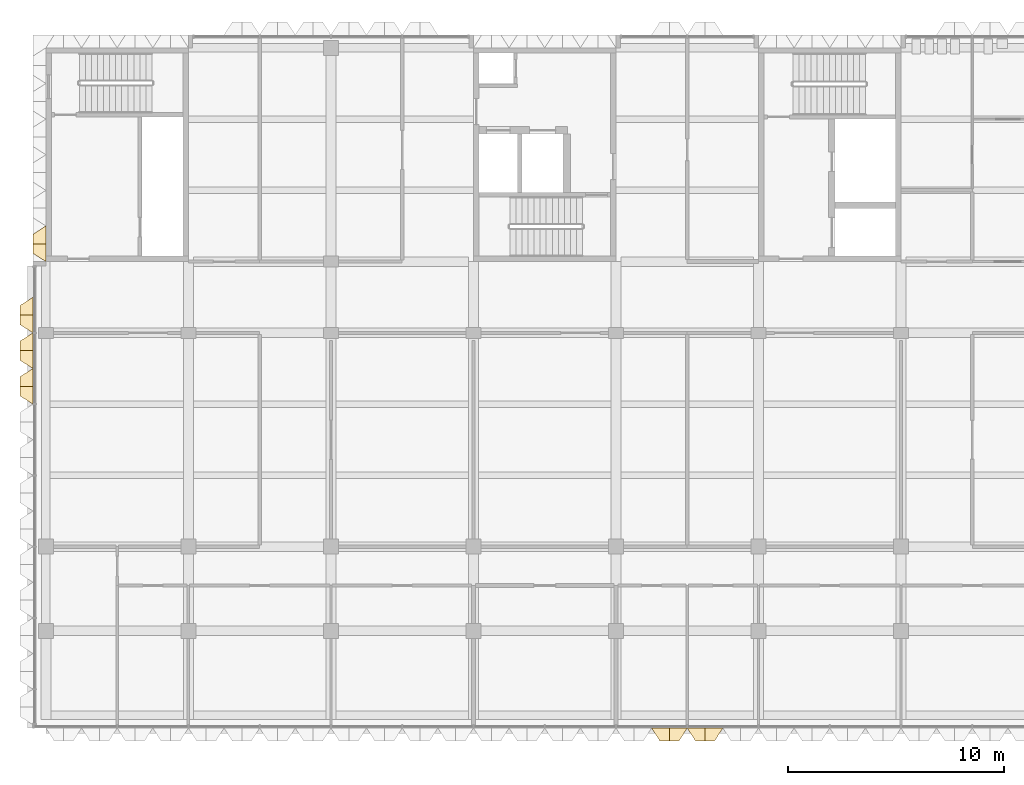
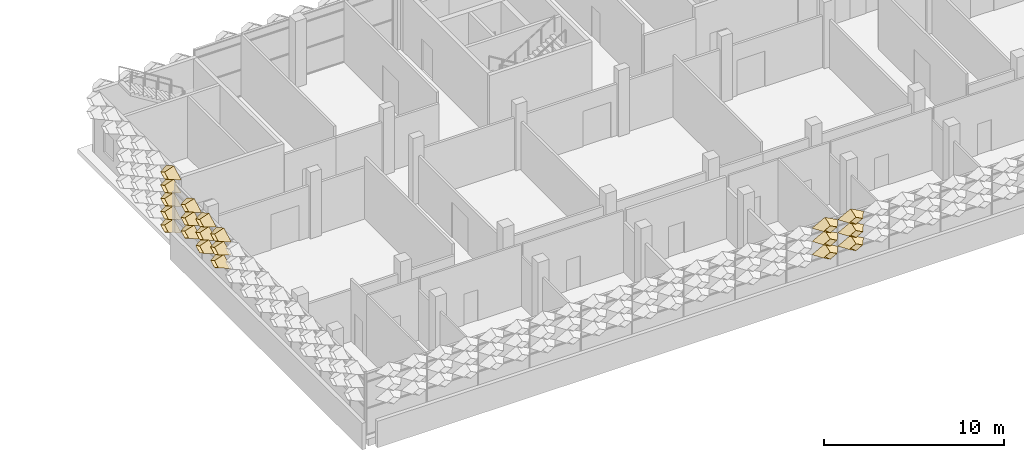
# One storey, part 41 of 85: 20 coverings.
"""IFC4 building model written with IfcOpenShell, lengths in metres."""

from ifc_helpers import new_model, entity, si_unit, direction, frame, origin, place, context, subcontext, project, spatial, material, layer, layer_set, type_object, element, save


model = new_model("IFC4")

# Units and contexts
model_context = context("Model", 3, precision=1e-05, world=origin(), true_north=direction((0.0, 1.0)))
body_context = subcontext(model_context, "Body", "Model", "MODEL_VIEW")
ifc_project = project(units=[si_unit("LENGTHUNIT", "METRE"), si_unit("AREAUNIT", "SQUARE_METRE"), si_unit("VOLUMEUNIT", "CUBIC_METRE"), si_unit("PLANEANGLEUNIT", "RADIAN"), si_unit("MASSUNIT", "GRAM", prefix="KILO")], contexts=[model_context])

# Site, building, storey
site_placement = place(None, origin())
site = spatial("IfcSite", under=ifc_project, at=site_placement, CompositionType="ELEMENT")
building_placement = place(site_placement, origin())
building = spatial("IfcBuilding", under=site, at=building_placement, Name="Lantern Court Research Institute", CompositionType="ELEMENT")
storey_placement = place(building_placement, frame((0.0, 0.0, 18.89990234375)))
storey = spatial("IfcBuildingStorey", under=building, at=storey_placement, Name="L04", CompositionType="ELEMENT", Elevation=18.89990234375)

# Coverings
ifc_material = material(Name="Anodised aluminium", Category="aluminium")
ifc_layer = layer(ifc_material, 0.01611328125)
ifc_layer_set = layer_set([ifc_layer], Name="Anodised aluminium")
covering_type = type_object("IfcCoveringType", Name="Fin cassette 1650 x 900 x 600 aluminium", PredefinedType="CLADDING", material=ifc_layer_set)
covering_1_placement = place(storey_placement, frame((28.875, -8.39990234375, 2.25), z_axis=(0.0, -1.0, 0.0), x_axis=(1.0, 0.0, 0.0)))
cartesian_point_1 = entity("IfcCartesianPoint", [0.824951171875, 0.0])
cartesian_point_2 = entity("IfcCartesianPoint", [0.79150390625, 0.0])
cartesian_point_3 = entity("IfcCartesianPoint", [0.44189453125, 0.0])
cartesian_point_4 = entity("IfcCartesianPoint", [0.43359375, 0.0])
element("IfcCovering", 1, at=covering_1_placement, inside=storey, type_object=covering_type, Name="Fin cassette V4S-L04 3.18", PredefinedType="CLADDING", context=body_context, shape_type="SweptSolid", body=[
    entity("IfcExtrudedAreaSolidTapered", entity("IfcArbitraryProfileDefWithVoids", "AREA", None, entity("IfcPolyline", [cartesian_point_1, entity("IfcCartesianPoint", [0.0, 0.449951171875]), entity("IfcCartesianPoint", [-0.824951171875, 0.0]), entity("IfcCartesianPoint", [0.0, -0.449951171875]), cartesian_point_1]), [entity("IfcPolyline", [cartesian_point_2, entity("IfcCartesianPoint", [0.0, 0.431884765625]), entity("IfcCartesianPoint", [-0.79150390625, 0.0]), entity("IfcCartesianPoint", [0.0, -0.431884765625]), cartesian_point_2])]), entity("IfcAxis2Placement3D", entity("IfcCartesianPoint", [0.0, 0.0, 0.0])), entity("IfcDirection", [0.0, 0.0, 1.0]), 0.60009765625, entity("IfcArbitraryProfileDefWithVoids", "AREA", None, entity("IfcPolyline", [cartesian_point_3, entity("IfcCartesianPoint", [0.0, 0.240966796875]), entity("IfcCartesianPoint", [-0.44189453125, 0.0]), entity("IfcCartesianPoint", [0.0, -0.240966796875]), cartesian_point_3]), [entity("IfcPolyline", [cartesian_point_4, entity("IfcCartesianPoint", [0.0, 0.236572265625]), entity("IfcCartesianPoint", [-0.43359375, 0.0]), entity("IfcCartesianPoint", [0.0, -0.236572265625]), cartesian_point_4])])),
])
covering_2_placement = place(storey_placement, frame((30.52490234375, -8.39990234375, 2.25), z_axis=(0.0, -1.0, 0.0), x_axis=(1.0, 0.0, 0.0)))
cartesian_point_5 = entity("IfcCartesianPoint", [0.824951171875, 0.0])
cartesian_point_6 = entity("IfcCartesianPoint", [0.79150390625, 0.0])
cartesian_point_7 = entity("IfcCartesianPoint", [0.44189453125, 0.0])
cartesian_point_8 = entity("IfcCartesianPoint", [0.43359375, 0.0])
element("IfcCovering", 2, at=covering_2_placement, inside=storey, type_object=covering_type, Name="Fin cassette V4S-L04 3.19", PredefinedType="CLADDING", context=body_context, shape_type="SweptSolid", body=[
    entity("IfcExtrudedAreaSolidTapered", entity("IfcArbitraryProfileDefWithVoids", "AREA", None, entity("IfcPolyline", [cartesian_point_5, entity("IfcCartesianPoint", [0.0, 0.449951171875]), entity("IfcCartesianPoint", [-0.824951171875, 0.0]), entity("IfcCartesianPoint", [0.0, -0.449951171875]), cartesian_point_5]), [entity("IfcPolyline", [cartesian_point_6, entity("IfcCartesianPoint", [0.0, 0.431884765625]), entity("IfcCartesianPoint", [-0.79150390625, 0.0]), entity("IfcCartesianPoint", [0.0, -0.431884765625]), cartesian_point_6])]), entity("IfcAxis2Placement3D", entity("IfcCartesianPoint", [0.0, 0.0, 0.0])), entity("IfcDirection", [0.0, 0.0, 1.0]), 0.60009765625, entity("IfcArbitraryProfileDefWithVoids", "AREA", None, entity("IfcPolyline", [cartesian_point_7, entity("IfcCartesianPoint", [0.0, 0.240966796875]), entity("IfcCartesianPoint", [-0.44189453125, 0.0]), entity("IfcCartesianPoint", [0.0, -0.240966796875]), cartesian_point_7]), [entity("IfcPolyline", [cartesian_point_8, entity("IfcCartesianPoint", [0.0, 0.236572265625]), entity("IfcCartesianPoint", [-0.43359375, 0.0]), entity("IfcCartesianPoint", [0.0, -0.236572265625]), cartesian_point_8])])),
])
covering_3_placement = place(storey_placement, frame((28.875, -8.39990234375, 3.150146484375), z_axis=(0.0, -1.0, 0.0), x_axis=(1.0, 0.0, 0.0)))
cartesian_point_9 = entity("IfcCartesianPoint", [0.824951171875, 0.0])
cartesian_point_10 = entity("IfcCartesianPoint", [0.79150390625, 0.0])
cartesian_point_11 = entity("IfcCartesianPoint", [0.44189453125, 0.0])
cartesian_point_12 = entity("IfcCartesianPoint", [0.43359375, 0.0])
element("IfcCovering", 3, at=covering_3_placement, inside=storey, type_object=covering_type, Name="Fin cassette V4S-L04 4.18", PredefinedType="CLADDING", context=body_context, shape_type="SweptSolid", body=[
    entity("IfcExtrudedAreaSolidTapered", entity("IfcArbitraryProfileDefWithVoids", "AREA", None, entity("IfcPolyline", [cartesian_point_9, entity("IfcCartesianPoint", [0.0, 0.449951171875]), entity("IfcCartesianPoint", [-0.824951171875, 0.0]), entity("IfcCartesianPoint", [0.0, -0.449951171875]), cartesian_point_9]), [entity("IfcPolyline", [cartesian_point_10, entity("IfcCartesianPoint", [0.0, 0.431884765625]), entity("IfcCartesianPoint", [-0.79150390625, 0.0]), entity("IfcCartesianPoint", [0.0, -0.431884765625]), cartesian_point_10])]), entity("IfcAxis2Placement3D", entity("IfcCartesianPoint", [0.0, 0.0, 0.0])), entity("IfcDirection", [0.0, 0.0, 1.0]), 0.60009765625, entity("IfcArbitraryProfileDefWithVoids", "AREA", None, entity("IfcPolyline", [cartesian_point_11, entity("IfcCartesianPoint", [0.0, 0.240966796875]), entity("IfcCartesianPoint", [-0.44189453125, 0.0]), entity("IfcCartesianPoint", [0.0, -0.240966796875]), cartesian_point_11]), [entity("IfcPolyline", [cartesian_point_12, entity("IfcCartesianPoint", [0.0, 0.236572265625]), entity("IfcCartesianPoint", [-0.43359375, 0.0]), entity("IfcCartesianPoint", [0.0, -0.236572265625]), cartesian_point_12])])),
])
covering_4_placement = place(storey_placement, frame((30.52490234375, -8.39990234375, 3.150146484375), z_axis=(0.0, -1.0, 0.0), x_axis=(1.0, 0.0, 0.0)))
cartesian_point_13 = entity("IfcCartesianPoint", [0.824951171875, 0.0])
cartesian_point_14 = entity("IfcCartesianPoint", [0.79150390625, 0.0])
cartesian_point_15 = entity("IfcCartesianPoint", [0.44189453125, 0.0])
cartesian_point_16 = entity("IfcCartesianPoint", [0.43359375, 0.0])
element("IfcCovering", 4, at=covering_4_placement, inside=storey, type_object=covering_type, Name="Fin cassette V4S-L04 4.19", PredefinedType="CLADDING", context=body_context, shape_type="SweptSolid", body=[
    entity("IfcExtrudedAreaSolidTapered", entity("IfcArbitraryProfileDefWithVoids", "AREA", None, entity("IfcPolyline", [cartesian_point_13, entity("IfcCartesianPoint", [0.0, 0.449951171875]), entity("IfcCartesianPoint", [-0.824951171875, 0.0]), entity("IfcCartesianPoint", [0.0, -0.449951171875]), cartesian_point_13]), [entity("IfcPolyline", [cartesian_point_14, entity("IfcCartesianPoint", [0.0, 0.431884765625]), entity("IfcCartesianPoint", [-0.79150390625, 0.0]), entity("IfcCartesianPoint", [0.0, -0.431884765625]), cartesian_point_14])]), entity("IfcAxis2Placement3D", entity("IfcCartesianPoint", [0.0, 0.0, 0.0])), entity("IfcDirection", [0.0, 0.0, 1.0]), 0.60009765625, entity("IfcArbitraryProfileDefWithVoids", "AREA", None, entity("IfcPolyline", [cartesian_point_15, entity("IfcCartesianPoint", [0.0, 0.240966796875]), entity("IfcCartesianPoint", [-0.44189453125, 0.0]), entity("IfcCartesianPoint", [0.0, -0.240966796875]), cartesian_point_15]), [entity("IfcPolyline", [cartesian_point_16, entity("IfcCartesianPoint", [0.0, 0.236572265625]), entity("IfcCartesianPoint", [-0.43359375, 0.0]), entity("IfcCartesianPoint", [0.0, -0.236572265625]), cartesian_point_16])])),
])
covering_5_placement = place(storey_placement, frame((28.875, -8.39990234375, 4.050048828125), z_axis=(0.0, -1.0, 0.0), x_axis=(1.0, 0.0, 0.0)))
cartesian_point_17 = entity("IfcCartesianPoint", [0.824951171875, 0.0])
cartesian_point_18 = entity("IfcCartesianPoint", [0.79150390625, 0.0])
cartesian_point_19 = entity("IfcCartesianPoint", [0.44189453125, 0.0])
cartesian_point_20 = entity("IfcCartesianPoint", [0.43359375, 0.0])
element("IfcCovering", 5, at=covering_5_placement, inside=storey, type_object=covering_type, Name="Fin cassette V4S-L04 5.18", PredefinedType="CLADDING", context=body_context, shape_type="SweptSolid", body=[
    entity("IfcExtrudedAreaSolidTapered", entity("IfcArbitraryProfileDefWithVoids", "AREA", None, entity("IfcPolyline", [cartesian_point_17, entity("IfcCartesianPoint", [0.0, 0.449951171875]), entity("IfcCartesianPoint", [-0.824951171875, 0.0]), entity("IfcCartesianPoint", [0.0, -0.449951171875]), cartesian_point_17]), [entity("IfcPolyline", [cartesian_point_18, entity("IfcCartesianPoint", [0.0, 0.431884765625]), entity("IfcCartesianPoint", [-0.79150390625, 0.0]), entity("IfcCartesianPoint", [0.0, -0.431884765625]), cartesian_point_18])]), entity("IfcAxis2Placement3D", entity("IfcCartesianPoint", [0.0, 0.0, 0.0])), entity("IfcDirection", [0.0, 0.0, 1.0]), 0.60009765625, entity("IfcArbitraryProfileDefWithVoids", "AREA", None, entity("IfcPolyline", [cartesian_point_19, entity("IfcCartesianPoint", [0.0, 0.240966796875]), entity("IfcCartesianPoint", [-0.44189453125, 0.0]), entity("IfcCartesianPoint", [0.0, -0.240966796875]), cartesian_point_19]), [entity("IfcPolyline", [cartesian_point_20, entity("IfcCartesianPoint", [0.0, 0.236572265625]), entity("IfcCartesianPoint", [-0.43359375, 0.0]), entity("IfcCartesianPoint", [0.0, -0.236572265625]), cartesian_point_20])])),
])
covering_6_placement = place(storey_placement, frame((30.52490234375, -8.39990234375, 4.050048828125), z_axis=(0.0, -1.0, 0.0), x_axis=(1.0, 0.0, 0.0)))
cartesian_point_21 = entity("IfcCartesianPoint", [0.824951171875, 0.0])
cartesian_point_22 = entity("IfcCartesianPoint", [0.79150390625, 0.0])
cartesian_point_23 = entity("IfcCartesianPoint", [0.44189453125, 0.0])
cartesian_point_24 = entity("IfcCartesianPoint", [0.43359375, 0.0])
element("IfcCovering", 6, at=covering_6_placement, inside=storey, type_object=covering_type, Name="Fin cassette V4S-L04 5.19", PredefinedType="CLADDING", context=body_context, shape_type="SweptSolid", body=[
    entity("IfcExtrudedAreaSolidTapered", entity("IfcArbitraryProfileDefWithVoids", "AREA", None, entity("IfcPolyline", [cartesian_point_21, entity("IfcCartesianPoint", [0.0, 0.449951171875]), entity("IfcCartesianPoint", [-0.824951171875, 0.0]), entity("IfcCartesianPoint", [0.0, -0.449951171875]), cartesian_point_21]), [entity("IfcPolyline", [cartesian_point_22, entity("IfcCartesianPoint", [0.0, 0.431884765625]), entity("IfcCartesianPoint", [-0.79150390625, 0.0]), entity("IfcCartesianPoint", [0.0, -0.431884765625]), cartesian_point_22])]), entity("IfcAxis2Placement3D", entity("IfcCartesianPoint", [0.0, 0.0, 0.0])), entity("IfcDirection", [0.0, 0.0, 1.0]), 0.60009765625, entity("IfcArbitraryProfileDefWithVoids", "AREA", None, entity("IfcPolyline", [cartesian_point_23, entity("IfcCartesianPoint", [0.0, 0.240966796875]), entity("IfcCartesianPoint", [-0.44189453125, 0.0]), entity("IfcCartesianPoint", [0.0, -0.240966796875]), cartesian_point_23]), [entity("IfcPolyline", [cartesian_point_24, entity("IfcCartesianPoint", [0.0, 0.236572265625]), entity("IfcCartesianPoint", [-0.43359375, 0.0]), entity("IfcCartesianPoint", [0.0, -0.236572265625]), cartesian_point_24])])),
])
covering_7_placement = place(storey_placement, frame((0.0, 14.02490234375, 0.4501953125), z_axis=(-1.0, 0.0, 0.0), x_axis=(0.0, -1.0, 0.0)))
cartesian_point_25 = entity("IfcCartesianPoint", [0.824951171875, 0.0])
cartesian_point_26 = entity("IfcCartesianPoint", [0.79150390625, 0.0])
cartesian_point_27 = entity("IfcCartesianPoint", [0.44189453125, 0.0])
cartesian_point_28 = entity("IfcCartesianPoint", [0.43359375, 0.0])
element("IfcCovering", 7, at=covering_7_placement, inside=storey, type_object=covering_type, Name="Fin cassette V4W-L04 1.9", PredefinedType="CLADDING", context=body_context, shape_type="SweptSolid", body=[
    entity("IfcExtrudedAreaSolidTapered", entity("IfcArbitraryProfileDefWithVoids", "AREA", None, entity("IfcPolyline", [cartesian_point_25, entity("IfcCartesianPoint", [0.0, 0.449951171875]), entity("IfcCartesianPoint", [-0.824951171875, 0.0]), entity("IfcCartesianPoint", [0.0, -0.449951171875]), cartesian_point_25]), [entity("IfcPolyline", [cartesian_point_26, entity("IfcCartesianPoint", [0.0, 0.431884765625]), entity("IfcCartesianPoint", [-0.79150390625, 0.0]), entity("IfcCartesianPoint", [0.0, -0.431884765625]), cartesian_point_26])]), entity("IfcAxis2Placement3D", entity("IfcCartesianPoint", [0.0, 0.0, 0.0])), entity("IfcDirection", [0.0, 0.0, 1.0]), 0.60009765625, entity("IfcArbitraryProfileDefWithVoids", "AREA", None, entity("IfcPolyline", [cartesian_point_27, entity("IfcCartesianPoint", [0.0, 0.240966796875]), entity("IfcCartesianPoint", [-0.44189453125, 0.0]), entity("IfcCartesianPoint", [0.0, -0.240966796875]), cartesian_point_27]), [entity("IfcPolyline", [cartesian_point_28, entity("IfcCartesianPoint", [0.0, 0.236572265625]), entity("IfcCartesianPoint", [-0.43359375, 0.0]), entity("IfcCartesianPoint", [0.0, -0.236572265625]), cartesian_point_28])])),
])
covering_8_placement = place(storey_placement, frame((0.0, 14.02490234375, 1.35009765625), z_axis=(-1.0, 0.0, 0.0), x_axis=(0.0, -1.0, 0.0)))
cartesian_point_29 = entity("IfcCartesianPoint", [0.824951171875, 0.0])
cartesian_point_30 = entity("IfcCartesianPoint", [0.79150390625, 0.0])
cartesian_point_31 = entity("IfcCartesianPoint", [0.44189453125, 0.0])
cartesian_point_32 = entity("IfcCartesianPoint", [0.43359375, 0.0])
element("IfcCovering", 8, at=covering_8_placement, inside=storey, type_object=covering_type, Name="Fin cassette V4W-L04 2.9", PredefinedType="CLADDING", context=body_context, shape_type="SweptSolid", body=[
    entity("IfcExtrudedAreaSolidTapered", entity("IfcArbitraryProfileDefWithVoids", "AREA", None, entity("IfcPolyline", [cartesian_point_29, entity("IfcCartesianPoint", [0.0, 0.449951171875]), entity("IfcCartesianPoint", [-0.824951171875, 0.0]), entity("IfcCartesianPoint", [0.0, -0.449951171875]), cartesian_point_29]), [entity("IfcPolyline", [cartesian_point_30, entity("IfcCartesianPoint", [0.0, 0.431884765625]), entity("IfcCartesianPoint", [-0.79150390625, 0.0]), entity("IfcCartesianPoint", [0.0, -0.431884765625]), cartesian_point_30])]), entity("IfcAxis2Placement3D", entity("IfcCartesianPoint", [0.0, 0.0, 0.0])), entity("IfcDirection", [0.0, 0.0, 1.0]), 0.60009765625, entity("IfcArbitraryProfileDefWithVoids", "AREA", None, entity("IfcPolyline", [cartesian_point_31, entity("IfcCartesianPoint", [0.0, 0.240966796875]), entity("IfcCartesianPoint", [-0.44189453125, 0.0]), entity("IfcCartesianPoint", [0.0, -0.240966796875]), cartesian_point_31]), [entity("IfcPolyline", [cartesian_point_32, entity("IfcCartesianPoint", [0.0, 0.236572265625]), entity("IfcCartesianPoint", [-0.43359375, 0.0]), entity("IfcCartesianPoint", [0.0, -0.236572265625]), cartesian_point_32])])),
])
covering_9_placement = place(storey_placement, frame((0.0, 14.02490234375, 2.25), z_axis=(-1.0, 0.0, 0.0), x_axis=(0.0, -1.0, 0.0)))
cartesian_point_33 = entity("IfcCartesianPoint", [0.824951171875, 0.0])
cartesian_point_34 = entity("IfcCartesianPoint", [0.79150390625, 0.0])
cartesian_point_35 = entity("IfcCartesianPoint", [0.44189453125, 0.0])
cartesian_point_36 = entity("IfcCartesianPoint", [0.43359375, 0.0])
element("IfcCovering", 9, at=covering_9_placement, inside=storey, type_object=covering_type, Name="Fin cassette V4W-L04 3.9", PredefinedType="CLADDING", context=body_context, shape_type="SweptSolid", body=[
    entity("IfcExtrudedAreaSolidTapered", entity("IfcArbitraryProfileDefWithVoids", "AREA", None, entity("IfcPolyline", [cartesian_point_33, entity("IfcCartesianPoint", [0.0, 0.449951171875]), entity("IfcCartesianPoint", [-0.824951171875, 0.0]), entity("IfcCartesianPoint", [0.0, -0.449951171875]), cartesian_point_33]), [entity("IfcPolyline", [cartesian_point_34, entity("IfcCartesianPoint", [0.0, 0.431884765625]), entity("IfcCartesianPoint", [-0.79150390625, 0.0]), entity("IfcCartesianPoint", [0.0, -0.431884765625]), cartesian_point_34])]), entity("IfcAxis2Placement3D", entity("IfcCartesianPoint", [0.0, 0.0, 0.0])), entity("IfcDirection", [0.0, 0.0, 1.0]), 0.60009765625, entity("IfcArbitraryProfileDefWithVoids", "AREA", None, entity("IfcPolyline", [cartesian_point_35, entity("IfcCartesianPoint", [0.0, 0.240966796875]), entity("IfcCartesianPoint", [-0.44189453125, 0.0]), entity("IfcCartesianPoint", [0.0, -0.240966796875]), cartesian_point_35]), [entity("IfcPolyline", [cartesian_point_36, entity("IfcCartesianPoint", [0.0, 0.236572265625]), entity("IfcCartesianPoint", [-0.43359375, 0.0]), entity("IfcCartesianPoint", [0.0, -0.236572265625]), cartesian_point_36])])),
])
covering_10_placement = place(storey_placement, frame((0.0, 14.02490234375, 3.150146484375), z_axis=(-1.0, 0.0, 0.0), x_axis=(0.0, -1.0, 0.0)))
cartesian_point_37 = entity("IfcCartesianPoint", [0.824951171875, 0.0])
cartesian_point_38 = entity("IfcCartesianPoint", [0.79150390625, 0.0])
cartesian_point_39 = entity("IfcCartesianPoint", [0.44189453125, 0.0])
cartesian_point_40 = entity("IfcCartesianPoint", [0.43359375, 0.0])
element("IfcCovering", 10, at=covering_10_placement, inside=storey, type_object=covering_type, Name="Fin cassette V4W-L04 4.9", PredefinedType="CLADDING", context=body_context, shape_type="SweptSolid", body=[
    entity("IfcExtrudedAreaSolidTapered", entity("IfcArbitraryProfileDefWithVoids", "AREA", None, entity("IfcPolyline", [cartesian_point_37, entity("IfcCartesianPoint", [0.0, 0.449951171875]), entity("IfcCartesianPoint", [-0.824951171875, 0.0]), entity("IfcCartesianPoint", [0.0, -0.449951171875]), cartesian_point_37]), [entity("IfcPolyline", [cartesian_point_38, entity("IfcCartesianPoint", [0.0, 0.431884765625]), entity("IfcCartesianPoint", [-0.79150390625, 0.0]), entity("IfcCartesianPoint", [0.0, -0.431884765625]), cartesian_point_38])]), entity("IfcAxis2Placement3D", entity("IfcCartesianPoint", [0.0, 0.0, 0.0])), entity("IfcDirection", [0.0, 0.0, 1.0]), 0.60009765625, entity("IfcArbitraryProfileDefWithVoids", "AREA", None, entity("IfcPolyline", [cartesian_point_39, entity("IfcCartesianPoint", [0.0, 0.240966796875]), entity("IfcCartesianPoint", [-0.44189453125, 0.0]), entity("IfcCartesianPoint", [0.0, -0.240966796875]), cartesian_point_39]), [entity("IfcPolyline", [cartesian_point_40, entity("IfcCartesianPoint", [0.0, 0.236572265625]), entity("IfcCartesianPoint", [-0.43359375, 0.0]), entity("IfcCartesianPoint", [0.0, -0.236572265625]), cartesian_point_40])])),
])
covering_11_placement = place(storey_placement, frame((0.0, 14.02490234375, 4.050048828125), z_axis=(-1.0, 0.0, 0.0), x_axis=(0.0, -1.0, 0.0)))
cartesian_point_41 = entity("IfcCartesianPoint", [0.824951171875, 0.0])
cartesian_point_42 = entity("IfcCartesianPoint", [0.79150390625, 0.0])
cartesian_point_43 = entity("IfcCartesianPoint", [0.44189453125, 0.0])
cartesian_point_44 = entity("IfcCartesianPoint", [0.43359375, 0.0])
element("IfcCovering", 11, at=covering_11_placement, inside=storey, type_object=covering_type, Name="Fin cassette V4W-L04 5.9", PredefinedType="CLADDING", context=body_context, shape_type="SweptSolid", body=[
    entity("IfcExtrudedAreaSolidTapered", entity("IfcArbitraryProfileDefWithVoids", "AREA", None, entity("IfcPolyline", [cartesian_point_41, entity("IfcCartesianPoint", [0.0, 0.449951171875]), entity("IfcCartesianPoint", [-0.824951171875, 0.0]), entity("IfcCartesianPoint", [0.0, -0.449951171875]), cartesian_point_41]), [entity("IfcPolyline", [cartesian_point_42, entity("IfcCartesianPoint", [0.0, 0.431884765625]), entity("IfcCartesianPoint", [-0.79150390625, 0.0]), entity("IfcCartesianPoint", [0.0, -0.431884765625]), cartesian_point_42])]), entity("IfcAxis2Placement3D", entity("IfcCartesianPoint", [0.0, 0.0, 0.0])), entity("IfcDirection", [0.0, 0.0, 1.0]), 0.60009765625, entity("IfcArbitraryProfileDefWithVoids", "AREA", None, entity("IfcPolyline", [cartesian_point_43, entity("IfcCartesianPoint", [0.0, 0.240966796875]), entity("IfcCartesianPoint", [-0.44189453125, 0.0]), entity("IfcCartesianPoint", [0.0, -0.240966796875]), cartesian_point_43]), [entity("IfcPolyline", [cartesian_point_44, entity("IfcCartesianPoint", [0.0, 0.236572265625]), entity("IfcCartesianPoint", [-0.43359375, 0.0]), entity("IfcCartesianPoint", [0.0, -0.236572265625]), cartesian_point_44])])),
])
covering_12_placement = place(storey_placement, frame((-0.60009765625, 7.425048828125, 2.25), z_axis=(-1.0, 0.0, 0.0), x_axis=(0.0, -1.0, 0.0)))
cartesian_point_45 = entity("IfcCartesianPoint", [0.824951171875, 0.0])
cartesian_point_46 = entity("IfcCartesianPoint", [0.79150390625, 0.0])
cartesian_point_47 = entity("IfcCartesianPoint", [0.44189453125, 0.0])
cartesian_point_48 = entity("IfcCartesianPoint", [0.43359375, 0.0])
element("IfcCovering", 12, at=covering_12_placement, inside=storey, type_object=covering_type, Name="Fin cassette V4W-L04 3.5", PredefinedType="CLADDING", context=body_context, shape_type="SweptSolid", body=[
    entity("IfcExtrudedAreaSolidTapered", entity("IfcArbitraryProfileDefWithVoids", "AREA", None, entity("IfcPolyline", [cartesian_point_45, entity("IfcCartesianPoint", [0.0, 0.449951171875]), entity("IfcCartesianPoint", [-0.824951171875, 0.0]), entity("IfcCartesianPoint", [0.0, -0.449951171875]), cartesian_point_45]), [entity("IfcPolyline", [cartesian_point_46, entity("IfcCartesianPoint", [0.0, 0.431884765625]), entity("IfcCartesianPoint", [-0.79150390625, 0.0]), entity("IfcCartesianPoint", [0.0, -0.431884765625]), cartesian_point_46])]), entity("IfcAxis2Placement3D", entity("IfcCartesianPoint", [0.0, 0.0, 0.0])), entity("IfcDirection", [0.0, 0.0, 1.0]), 0.60009765625, entity("IfcArbitraryProfileDefWithVoids", "AREA", None, entity("IfcPolyline", [cartesian_point_47, entity("IfcCartesianPoint", [0.0, 0.240966796875]), entity("IfcCartesianPoint", [-0.44189453125, 0.0]), entity("IfcCartesianPoint", [0.0, -0.240966796875]), cartesian_point_47]), [entity("IfcPolyline", [cartesian_point_48, entity("IfcCartesianPoint", [0.0, 0.236572265625]), entity("IfcCartesianPoint", [-0.43359375, 0.0]), entity("IfcCartesianPoint", [0.0, -0.236572265625]), cartesian_point_48])])),
])
covering_13_placement = place(storey_placement, frame((-0.60009765625, 9.074951171875, 2.25), z_axis=(-1.0, 0.0, 0.0), x_axis=(0.0, -1.0, 0.0)))
cartesian_point_49 = entity("IfcCartesianPoint", [0.824951171875, 0.0])
cartesian_point_50 = entity("IfcCartesianPoint", [0.79150390625, 0.0])
cartesian_point_51 = entity("IfcCartesianPoint", [0.44189453125, 0.0])
cartesian_point_52 = entity("IfcCartesianPoint", [0.43359375, 0.0])
element("IfcCovering", 13, at=covering_13_placement, inside=storey, type_object=covering_type, Name="Fin cassette V4W-L04 3.6", PredefinedType="CLADDING", context=body_context, shape_type="SweptSolid", body=[
    entity("IfcExtrudedAreaSolidTapered", entity("IfcArbitraryProfileDefWithVoids", "AREA", None, entity("IfcPolyline", [cartesian_point_49, entity("IfcCartesianPoint", [0.0, 0.449951171875]), entity("IfcCartesianPoint", [-0.824951171875, 0.0]), entity("IfcCartesianPoint", [0.0, -0.449951171875]), cartesian_point_49]), [entity("IfcPolyline", [cartesian_point_50, entity("IfcCartesianPoint", [0.0, 0.431884765625]), entity("IfcCartesianPoint", [-0.79150390625, 0.0]), entity("IfcCartesianPoint", [0.0, -0.431884765625]), cartesian_point_50])]), entity("IfcAxis2Placement3D", entity("IfcCartesianPoint", [0.0, 0.0, 0.0])), entity("IfcDirection", [0.0, 0.0, 1.0]), 0.60009765625, entity("IfcArbitraryProfileDefWithVoids", "AREA", None, entity("IfcPolyline", [cartesian_point_51, entity("IfcCartesianPoint", [0.0, 0.240966796875]), entity("IfcCartesianPoint", [-0.44189453125, 0.0]), entity("IfcCartesianPoint", [0.0, -0.240966796875]), cartesian_point_51]), [entity("IfcPolyline", [cartesian_point_52, entity("IfcCartesianPoint", [0.0, 0.236572265625]), entity("IfcCartesianPoint", [-0.43359375, 0.0]), entity("IfcCartesianPoint", [0.0, -0.236572265625]), cartesian_point_52])])),
])
covering_14_placement = place(storey_placement, frame((-0.60009765625, 10.72509765625, 2.25), z_axis=(-1.0, 0.0, 0.0), x_axis=(0.0, -1.0, 0.0)))
cartesian_point_53 = entity("IfcCartesianPoint", [0.824951171875, 0.0])
cartesian_point_54 = entity("IfcCartesianPoint", [0.79150390625, 0.0])
cartesian_point_55 = entity("IfcCartesianPoint", [0.44189453125, 0.0])
cartesian_point_56 = entity("IfcCartesianPoint", [0.43359375, 0.0])
element("IfcCovering", 14, at=covering_14_placement, inside=storey, type_object=covering_type, Name="Fin cassette V4W-L04 3.7", PredefinedType="CLADDING", context=body_context, shape_type="SweptSolid", body=[
    entity("IfcExtrudedAreaSolidTapered", entity("IfcArbitraryProfileDefWithVoids", "AREA", None, entity("IfcPolyline", [cartesian_point_53, entity("IfcCartesianPoint", [0.0, 0.449951171875]), entity("IfcCartesianPoint", [-0.824951171875, 0.0]), entity("IfcCartesianPoint", [0.0, -0.449951171875]), cartesian_point_53]), [entity("IfcPolyline", [cartesian_point_54, entity("IfcCartesianPoint", [0.0, 0.431884765625]), entity("IfcCartesianPoint", [-0.79150390625, 0.0]), entity("IfcCartesianPoint", [0.0, -0.431884765625]), cartesian_point_54])]), entity("IfcAxis2Placement3D", entity("IfcCartesianPoint", [0.0, 0.0, 0.0])), entity("IfcDirection", [0.0, 0.0, 1.0]), 0.60009765625, entity("IfcArbitraryProfileDefWithVoids", "AREA", None, entity("IfcPolyline", [cartesian_point_55, entity("IfcCartesianPoint", [0.0, 0.240966796875]), entity("IfcCartesianPoint", [-0.44189453125, 0.0]), entity("IfcCartesianPoint", [0.0, -0.240966796875]), cartesian_point_55]), [entity("IfcPolyline", [cartesian_point_56, entity("IfcCartesianPoint", [0.0, 0.236572265625]), entity("IfcCartesianPoint", [-0.43359375, 0.0]), entity("IfcCartesianPoint", [0.0, -0.236572265625]), cartesian_point_56])])),
])
covering_15_placement = place(storey_placement, frame((-0.60009765625, 7.425048828125, 3.150146484375), z_axis=(-1.0, 0.0, 0.0), x_axis=(0.0, -1.0, 0.0)))
cartesian_point_57 = entity("IfcCartesianPoint", [0.824951171875, 0.0])
cartesian_point_58 = entity("IfcCartesianPoint", [0.79150390625, 0.0])
cartesian_point_59 = entity("IfcCartesianPoint", [0.44189453125, 0.0])
cartesian_point_60 = entity("IfcCartesianPoint", [0.43359375, 0.0])
element("IfcCovering", 15, at=covering_15_placement, inside=storey, type_object=covering_type, Name="Fin cassette V4W-L04 4.5", PredefinedType="CLADDING", context=body_context, shape_type="SweptSolid", body=[
    entity("IfcExtrudedAreaSolidTapered", entity("IfcArbitraryProfileDefWithVoids", "AREA", None, entity("IfcPolyline", [cartesian_point_57, entity("IfcCartesianPoint", [0.0, 0.449951171875]), entity("IfcCartesianPoint", [-0.824951171875, 0.0]), entity("IfcCartesianPoint", [0.0, -0.449951171875]), cartesian_point_57]), [entity("IfcPolyline", [cartesian_point_58, entity("IfcCartesianPoint", [0.0, 0.431884765625]), entity("IfcCartesianPoint", [-0.79150390625, 0.0]), entity("IfcCartesianPoint", [0.0, -0.431884765625]), cartesian_point_58])]), entity("IfcAxis2Placement3D", entity("IfcCartesianPoint", [0.0, 0.0, 0.0])), entity("IfcDirection", [0.0, 0.0, 1.0]), 0.60009765625, entity("IfcArbitraryProfileDefWithVoids", "AREA", None, entity("IfcPolyline", [cartesian_point_59, entity("IfcCartesianPoint", [0.0, 0.240966796875]), entity("IfcCartesianPoint", [-0.44189453125, 0.0]), entity("IfcCartesianPoint", [0.0, -0.240966796875]), cartesian_point_59]), [entity("IfcPolyline", [cartesian_point_60, entity("IfcCartesianPoint", [0.0, 0.236572265625]), entity("IfcCartesianPoint", [-0.43359375, 0.0]), entity("IfcCartesianPoint", [0.0, -0.236572265625]), cartesian_point_60])])),
])
covering_16_placement = place(storey_placement, frame((-0.60009765625, 9.074951171875, 3.150146484375), z_axis=(-1.0, 0.0, 0.0), x_axis=(0.0, -1.0, 0.0)))
cartesian_point_61 = entity("IfcCartesianPoint", [0.824951171875, 0.0])
cartesian_point_62 = entity("IfcCartesianPoint", [0.79150390625, 0.0])
cartesian_point_63 = entity("IfcCartesianPoint", [0.44189453125, 0.0])
cartesian_point_64 = entity("IfcCartesianPoint", [0.43359375, 0.0])
element("IfcCovering", 16, at=covering_16_placement, inside=storey, type_object=covering_type, Name="Fin cassette V4W-L04 4.6", PredefinedType="CLADDING", context=body_context, shape_type="SweptSolid", body=[
    entity("IfcExtrudedAreaSolidTapered", entity("IfcArbitraryProfileDefWithVoids", "AREA", None, entity("IfcPolyline", [cartesian_point_61, entity("IfcCartesianPoint", [0.0, 0.449951171875]), entity("IfcCartesianPoint", [-0.824951171875, 0.0]), entity("IfcCartesianPoint", [0.0, -0.449951171875]), cartesian_point_61]), [entity("IfcPolyline", [cartesian_point_62, entity("IfcCartesianPoint", [0.0, 0.431884765625]), entity("IfcCartesianPoint", [-0.79150390625, 0.0]), entity("IfcCartesianPoint", [0.0, -0.431884765625]), cartesian_point_62])]), entity("IfcAxis2Placement3D", entity("IfcCartesianPoint", [0.0, 0.0, 0.0])), entity("IfcDirection", [0.0, 0.0, 1.0]), 0.60009765625, entity("IfcArbitraryProfileDefWithVoids", "AREA", None, entity("IfcPolyline", [cartesian_point_63, entity("IfcCartesianPoint", [0.0, 0.240966796875]), entity("IfcCartesianPoint", [-0.44189453125, 0.0]), entity("IfcCartesianPoint", [0.0, -0.240966796875]), cartesian_point_63]), [entity("IfcPolyline", [cartesian_point_64, entity("IfcCartesianPoint", [0.0, 0.236572265625]), entity("IfcCartesianPoint", [-0.43359375, 0.0]), entity("IfcCartesianPoint", [0.0, -0.236572265625]), cartesian_point_64])])),
])
covering_17_placement = place(storey_placement, frame((-0.60009765625, 10.72509765625, 3.150146484375), z_axis=(-1.0, 0.0, 0.0), x_axis=(0.0, -1.0, 0.0)))
cartesian_point_65 = entity("IfcCartesianPoint", [0.824951171875, 0.0])
cartesian_point_66 = entity("IfcCartesianPoint", [0.79150390625, 0.0])
cartesian_point_67 = entity("IfcCartesianPoint", [0.44189453125, 0.0])
cartesian_point_68 = entity("IfcCartesianPoint", [0.43359375, 0.0])
element("IfcCovering", 17, at=covering_17_placement, inside=storey, type_object=covering_type, Name="Fin cassette V4W-L04 4.7", PredefinedType="CLADDING", context=body_context, shape_type="SweptSolid", body=[
    entity("IfcExtrudedAreaSolidTapered", entity("IfcArbitraryProfileDefWithVoids", "AREA", None, entity("IfcPolyline", [cartesian_point_65, entity("IfcCartesianPoint", [0.0, 0.449951171875]), entity("IfcCartesianPoint", [-0.824951171875, 0.0]), entity("IfcCartesianPoint", [0.0, -0.449951171875]), cartesian_point_65]), [entity("IfcPolyline", [cartesian_point_66, entity("IfcCartesianPoint", [0.0, 0.431884765625]), entity("IfcCartesianPoint", [-0.79150390625, 0.0]), entity("IfcCartesianPoint", [0.0, -0.431884765625]), cartesian_point_66])]), entity("IfcAxis2Placement3D", entity("IfcCartesianPoint", [0.0, 0.0, 0.0])), entity("IfcDirection", [0.0, 0.0, 1.0]), 0.60009765625, entity("IfcArbitraryProfileDefWithVoids", "AREA", None, entity("IfcPolyline", [cartesian_point_67, entity("IfcCartesianPoint", [0.0, 0.240966796875]), entity("IfcCartesianPoint", [-0.44189453125, 0.0]), entity("IfcCartesianPoint", [0.0, -0.240966796875]), cartesian_point_67]), [entity("IfcPolyline", [cartesian_point_68, entity("IfcCartesianPoint", [0.0, 0.236572265625]), entity("IfcCartesianPoint", [-0.43359375, 0.0]), entity("IfcCartesianPoint", [0.0, -0.236572265625]), cartesian_point_68])])),
])
covering_18_placement = place(storey_placement, frame((-0.60009765625, 7.425048828125, 4.050048828125), z_axis=(-1.0, 0.0, 0.0), x_axis=(0.0, -1.0, 0.0)))
cartesian_point_69 = entity("IfcCartesianPoint", [0.824951171875, 0.0])
cartesian_point_70 = entity("IfcCartesianPoint", [0.79150390625, 0.0])
cartesian_point_71 = entity("IfcCartesianPoint", [0.44189453125, 0.0])
cartesian_point_72 = entity("IfcCartesianPoint", [0.43359375, 0.0])
element("IfcCovering", 18, at=covering_18_placement, inside=storey, type_object=covering_type, Name="Fin cassette V4W-L04 5.5", PredefinedType="CLADDING", context=body_context, shape_type="SweptSolid", body=[
    entity("IfcExtrudedAreaSolidTapered", entity("IfcArbitraryProfileDefWithVoids", "AREA", None, entity("IfcPolyline", [cartesian_point_69, entity("IfcCartesianPoint", [0.0, 0.449951171875]), entity("IfcCartesianPoint", [-0.824951171875, 0.0]), entity("IfcCartesianPoint", [0.0, -0.449951171875]), cartesian_point_69]), [entity("IfcPolyline", [cartesian_point_70, entity("IfcCartesianPoint", [0.0, 0.431884765625]), entity("IfcCartesianPoint", [-0.79150390625, 0.0]), entity("IfcCartesianPoint", [0.0, -0.431884765625]), cartesian_point_70])]), entity("IfcAxis2Placement3D", entity("IfcCartesianPoint", [0.0, 0.0, 0.0])), entity("IfcDirection", [0.0, 0.0, 1.0]), 0.60009765625, entity("IfcArbitraryProfileDefWithVoids", "AREA", None, entity("IfcPolyline", [cartesian_point_71, entity("IfcCartesianPoint", [0.0, 0.240966796875]), entity("IfcCartesianPoint", [-0.44189453125, 0.0]), entity("IfcCartesianPoint", [0.0, -0.240966796875]), cartesian_point_71]), [entity("IfcPolyline", [cartesian_point_72, entity("IfcCartesianPoint", [0.0, 0.236572265625]), entity("IfcCartesianPoint", [-0.43359375, 0.0]), entity("IfcCartesianPoint", [0.0, -0.236572265625]), cartesian_point_72])])),
])
covering_19_placement = place(storey_placement, frame((-0.60009765625, 9.074951171875, 4.050048828125), z_axis=(-1.0, 0.0, 0.0), x_axis=(0.0, -1.0, 0.0)))
cartesian_point_73 = entity("IfcCartesianPoint", [0.824951171875, 0.0])
cartesian_point_74 = entity("IfcCartesianPoint", [0.79150390625, 0.0])
cartesian_point_75 = entity("IfcCartesianPoint", [0.44189453125, 0.0])
cartesian_point_76 = entity("IfcCartesianPoint", [0.43359375, 0.0])
element("IfcCovering", 19, at=covering_19_placement, inside=storey, type_object=covering_type, Name="Fin cassette V4W-L04 5.6", PredefinedType="CLADDING", context=body_context, shape_type="SweptSolid", body=[
    entity("IfcExtrudedAreaSolidTapered", entity("IfcArbitraryProfileDefWithVoids", "AREA", None, entity("IfcPolyline", [cartesian_point_73, entity("IfcCartesianPoint", [0.0, 0.449951171875]), entity("IfcCartesianPoint", [-0.824951171875, 0.0]), entity("IfcCartesianPoint", [0.0, -0.449951171875]), cartesian_point_73]), [entity("IfcPolyline", [cartesian_point_74, entity("IfcCartesianPoint", [0.0, 0.431884765625]), entity("IfcCartesianPoint", [-0.79150390625, 0.0]), entity("IfcCartesianPoint", [0.0, -0.431884765625]), cartesian_point_74])]), entity("IfcAxis2Placement3D", entity("IfcCartesianPoint", [0.0, 0.0, 0.0])), entity("IfcDirection", [0.0, 0.0, 1.0]), 0.60009765625, entity("IfcArbitraryProfileDefWithVoids", "AREA", None, entity("IfcPolyline", [cartesian_point_75, entity("IfcCartesianPoint", [0.0, 0.240966796875]), entity("IfcCartesianPoint", [-0.44189453125, 0.0]), entity("IfcCartesianPoint", [0.0, -0.240966796875]), cartesian_point_75]), [entity("IfcPolyline", [cartesian_point_76, entity("IfcCartesianPoint", [0.0, 0.236572265625]), entity("IfcCartesianPoint", [-0.43359375, 0.0]), entity("IfcCartesianPoint", [0.0, -0.236572265625]), cartesian_point_76])])),
])
covering_20_placement = place(storey_placement, frame((-0.60009765625, 10.72509765625, 4.050048828125), z_axis=(-1.0, 0.0, 0.0), x_axis=(0.0, -1.0, 0.0)))
cartesian_point_77 = entity("IfcCartesianPoint", [0.824951171875, 0.0])
cartesian_point_78 = entity("IfcCartesianPoint", [0.79150390625, 0.0])
cartesian_point_79 = entity("IfcCartesianPoint", [0.44189453125, 0.0])
cartesian_point_80 = entity("IfcCartesianPoint", [0.43359375, 0.0])
element("IfcCovering", 20, at=covering_20_placement, inside=storey, type_object=covering_type, Name="Fin cassette V4W-L04 5.7", PredefinedType="CLADDING", context=body_context, shape_type="SweptSolid", body=[
    entity("IfcExtrudedAreaSolidTapered", entity("IfcArbitraryProfileDefWithVoids", "AREA", None, entity("IfcPolyline", [cartesian_point_77, entity("IfcCartesianPoint", [0.0, 0.449951171875]), entity("IfcCartesianPoint", [-0.824951171875, 0.0]), entity("IfcCartesianPoint", [0.0, -0.449951171875]), cartesian_point_77]), [entity("IfcPolyline", [cartesian_point_78, entity("IfcCartesianPoint", [0.0, 0.431884765625]), entity("IfcCartesianPoint", [-0.79150390625, 0.0]), entity("IfcCartesianPoint", [0.0, -0.431884765625]), cartesian_point_78])]), entity("IfcAxis2Placement3D", entity("IfcCartesianPoint", [0.0, 0.0, 0.0])), entity("IfcDirection", [0.0, 0.0, 1.0]), 0.60009765625, entity("IfcArbitraryProfileDefWithVoids", "AREA", None, entity("IfcPolyline", [cartesian_point_79, entity("IfcCartesianPoint", [0.0, 0.240966796875]), entity("IfcCartesianPoint", [-0.44189453125, 0.0]), entity("IfcCartesianPoint", [0.0, -0.240966796875]), cartesian_point_79]), [entity("IfcPolyline", [cartesian_point_80, entity("IfcCartesianPoint", [0.0, 0.236572265625]), entity("IfcCartesianPoint", [-0.43359375, 0.0]), entity("IfcCartesianPoint", [0.0, -0.236572265625]), cartesian_point_80])])),
])

save(model, "model.ifc")
